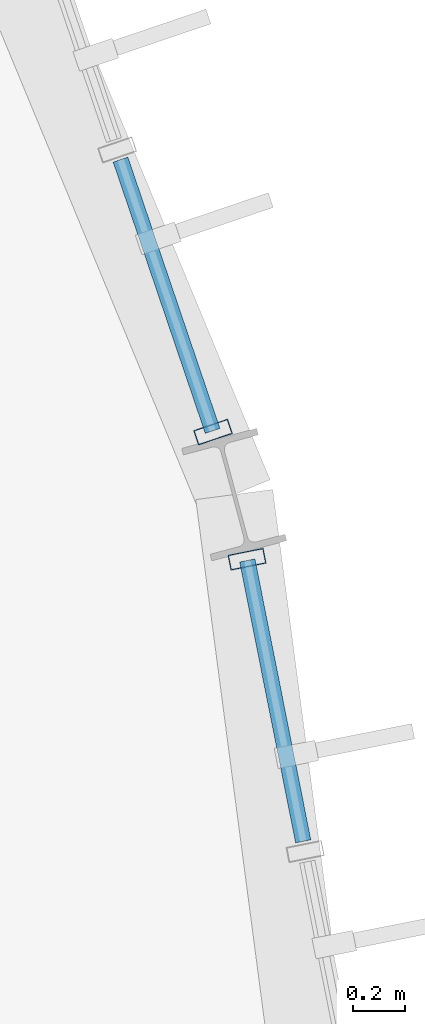
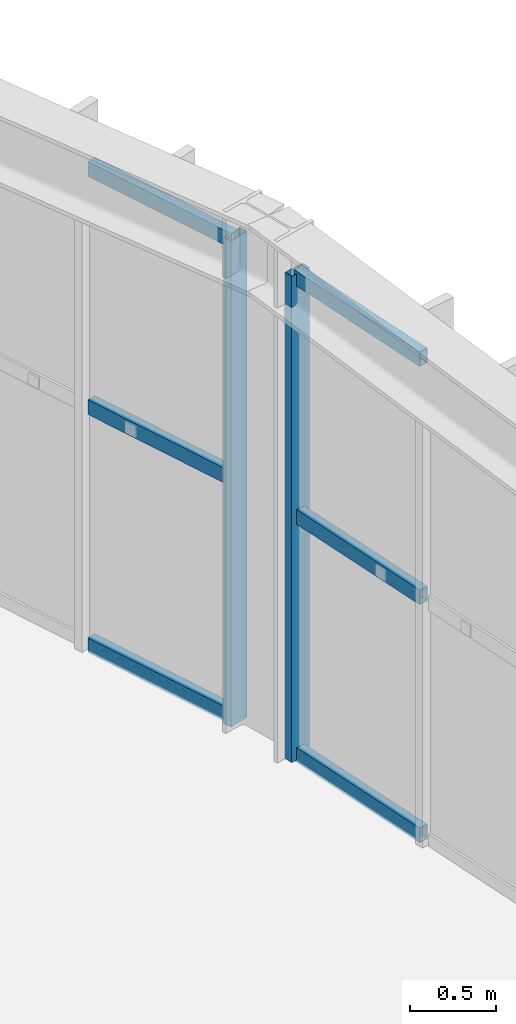
# One storey, part 76 of 152: 8 members, 2 elements without a shape of their own.
"""IFC4 building model written with IfcOpenShell, lengths in metres."""

from ifc_helpers import new_model, si_unit, derived_unit, direction, frame, origin, origin_2d, place, context, subcontext, project, spatial, hollow_rectangle, extrude, material, material_profile, profile_set, type_object, element, aggregate, save


model = new_model("IFC4")

# Units and contexts
model_context = context("Model", 3, precision=1e-05, world=origin(), true_north=direction((0.0, 1.0)))
body_context = subcontext(model_context, "Body", "Model", "MODEL_VIEW")
ifc_project = project(units=[si_unit("LENGTHUNIT", "METRE"), si_unit("AREAUNIT", "SQUARE_METRE"), si_unit("VOLUMEUNIT", "CUBIC_METRE"), si_unit("PLANEANGLEUNIT", "RADIAN"), si_unit("MASSUNIT", "GRAM", prefix="KILO"), si_unit("THERMODYNAMICTEMPERATUREUNIT", "KELVIN"), si_unit("TIMEUNIT", "SECOND"), derived_unit("THERMALTRANSMITTANCEUNIT", [(si_unit("MASSUNIT", "GRAM", prefix="KILO"), 1), (si_unit("THERMODYNAMICTEMPERATUREUNIT", "KELVIN"), -1), (si_unit("TIMEUNIT", "SECOND"), -3)])], contexts=[model_context])

# Site, building, storey
site_placement = place(None, origin())
site = spatial("IfcSite", under=ifc_project, at=site_placement, CompositionType="ELEMENT")
building_placement = place(site_placement, origin())
building = spatial("IfcBuilding", under=site, at=building_placement, Name="Cambertide Market Hall", CompositionType="ELEMENT")
storey_placement = place(building_placement, frame((0.0, 0.0, 5.39990234375)))
storey = spatial("IfcBuildingStorey", under=building, at=storey_placement, Name="L02", CompositionType="ELEMENT", Elevation=5.39990234375)

# Curtain wall, member
ifc_material_1 = material(Name="Marine Anodized Aluminium 6063-T6 AA25", Category="aluminium")
curtain_wall_type = type_object("IfcCurtainWallType", Name="Lantern Apse Chord Upper Curtain Wall", PredefinedType="USERDEFINED", material=ifc_material_1)
curtain_wall_1_placement = place(storey_placement, origin())
curtain_wall_1 = element("IfcCurtainWall", 1, at=curtain_wall_1_placement, inside=storey, type_object=curtain_wall_type, Name="Level 2 Curtain Wall CW-V1AE-L02-14", ObjectType="UNITIZED CURTAIN WALL", PredefinedType="USERDEFINED")
ifc_material_2 = material(Name="Champagne Marine Anodized Aluminium 6063-T6 AA25", Category="aluminium")
ifc_material_profile_1 = material_profile(ifc_material_2, hollow_rectangle(XDim=0.06005859375, YDim=0.139892578125, WallThickness=0.00341796875, at=origin_2d()), Name="ALU MULLION 60x140")
ifc_profile_set_1 = profile_set([ifc_material_profile_1], Name="Champagne Marine Anodized Aluminium 6063-T6 AA25")
member_type_1 = type_object("IfcMemberType", Name="Curtain Wall Mullion ALU MULLION 60x140", PredefinedType="MULLION", material=ifc_profile_set_1)
member_1_placement = place(storey_placement, frame((124.3681640625, 76.92626953125, 0.0), z_axis=(0.0, 0.0, 1.0), x_axis=(0.195090068226, -0.980785330885, 0.0)))
member_1 = element("IfcMember", 2, at=member_1_placement, type_object=member_type_1, Name="CW-V1AE-L02-14 Mullion 1", PredefinedType="MULLION", context=body_context, shape_type="SweptSolid", body=[
    extrude(hollow_rectangle(XDim=0.06005859375, YDim=0.139892578125, WallThickness=0.00341796875, at=origin_2d()), origin(), (0.0, 0.0, 1.0), 3.4501953125),
])

curtain_wall_2_placement = place(storey_placement, origin())
curtain_wall_2 = element("IfcCurtainWall", 3, at=curtain_wall_2_placement, inside=storey, type_object=curtain_wall_type, Name="Level 2 Curtain Wall CW-V1AE-L02-15", ObjectType="UNITIZED CURTAIN WALL", PredefinedType="USERDEFINED")
member_2_placement = place(storey_placement, frame((124.236572265625, 77.41796875, 0.0), z_axis=(0.0, 0.0, 1.0), x_axis=(0.32143947831, -0.94693012508, 0.0)))
member_2 = element("IfcMember", 4, at=member_2_placement, type_object=member_type_1, Name="CW-V1AE-L02-15 Mullion 3", PredefinedType="MULLION", context=body_context, shape_type="SweptSolid", body=[
    extrude(hollow_rectangle(XDim=0.06005859375, YDim=0.139892578125, WallThickness=0.00341796875, at=origin_2d()), origin(), (0.0, 0.0, 1.0), 3.4501953125),
])

# Member
ifc_material_3 = material(Name="Champagne Marine Anodized Aluminium 6063-T6 AA25", Category="aluminium")
ifc_material_profile_2 = material_profile(ifc_material_3, hollow_rectangle(XDim=0.06005859375, YDim=0.10498046875, WallThickness=0.0029296875, at=origin_2d()), Name="ALU TRANSOM 60x105")
ifc_profile_set_2 = profile_set([ifc_material_profile_2], Name="Champagne Marine Anodized Aluminium 6063-T6 AA25")
member_type_2 = type_object("IfcMemberType", Name="Curtain Wall Transom ALU TRANSOM 60x105", PredefinedType="USERDEFINED", material=ifc_profile_set_2)
member_3_placement = place(storey_placement, frame((124.369140625, 76.92138671875, 0.03515625), z_axis=(0.195226197175, -0.980758243369, 0.0), x_axis=(0.980758243369, 0.195226197175, 0.0)))
member_3 = element("IfcMember", 5, at=member_3_placement, type_object=member_type_2, Name="CW-V1AE-L02-14 Transom 1-1", ObjectType="TRANSOM", PredefinedType="USERDEFINED", context=body_context, shape_type="SweptSolid", body=[
    extrude(hollow_rectangle(XDim=0.06005859375, YDim=0.10498046875, WallThickness=0.0029296875, at=origin_2d()), origin(), (0.0, 0.0, 1.0), 1.10791015625),
])

member_4_placement = place(storey_placement, frame((124.369140625, 76.92138671875, 1.72509765625), z_axis=(0.195226197175, -0.980758243369, 0.0), x_axis=(0.980758243369, 0.195226197175, 0.0)))
member_4 = element("IfcMember", 6, at=member_4_placement, type_object=member_type_2, Name="CW-V1AE-L02-14 Transom 2-1", ObjectType="TRANSOM", PredefinedType="USERDEFINED", context=body_context, shape_type="SweptSolid", body=[
    extrude(hollow_rectangle(XDim=0.06005859375, YDim=0.10498046875, WallThickness=0.0029296875, at=origin_2d()), origin(), (0.0, 0.0, 1.0), 1.10791015625),
])

member_5_placement = place(storey_placement, frame((124.369140625, 76.92138671875, 3.4150390625), z_axis=(0.195226197175, -0.980758243369, 0.0), x_axis=(0.980758243369, 0.195226197175, 0.0)))
member_5 = element("IfcMember", 7, at=member_5_placement, type_object=member_type_2, Name="CW-V1AE-L02-14 Transom 3-1", ObjectType="TRANSOM", PredefinedType="USERDEFINED", context=body_context, shape_type="SweptSolid", body=[
    extrude(hollow_rectangle(XDim=0.06005859375, YDim=0.10498046875, WallThickness=0.0029296875, at=origin_2d()), origin(), (0.0, 0.0, 1.0), 1.10791015625),
])

aggregate(curtain_wall_1, [member_1, member_3, member_4, member_5])

member_6_placement = place(storey_placement, frame((123.878662109375, 78.471923828125, 0.03515625), z_axis=(0.321444521782, -0.946928413037, 0.0), x_axis=(0.946928413037, 0.321444521782, 0.0)))
member_6 = element("IfcMember", 8, at=member_6_placement, type_object=member_type_2, Name="CW-V1AE-L02-15 Transom 1-2", ObjectType="TRANSOM", PredefinedType="USERDEFINED", context=body_context, shape_type="SweptSolid", body=[
    extrude(hollow_rectangle(XDim=0.06005859375, YDim=0.10498046875, WallThickness=0.0029296875, at=origin_2d()), origin(), (0.0, 0.0, 1.0), 1.108154296875),
])

member_7_placement = place(storey_placement, frame((123.878662109375, 78.471923828125, 1.72509765625), z_axis=(0.321444521782, -0.946928413037, 0.0), x_axis=(0.946928413037, 0.321444521782, 0.0)))
member_7 = element("IfcMember", 9, at=member_7_placement, type_object=member_type_2, Name="CW-V1AE-L02-15 Transom 2-2", ObjectType="TRANSOM", PredefinedType="USERDEFINED", context=body_context, shape_type="SweptSolid", body=[
    extrude(hollow_rectangle(XDim=0.06005859375, YDim=0.10498046875, WallThickness=0.0029296875, at=origin_2d()), origin(), (0.0, 0.0, 1.0), 1.108154296875),
])

member_8_placement = place(storey_placement, frame((123.878662109375, 78.471923828125, 3.4150390625), z_axis=(0.321444521782, -0.946928413037, 0.0), x_axis=(0.946928413037, 0.321444521782, 0.0)))
member_8 = element("IfcMember", 10, at=member_8_placement, type_object=member_type_2, Name="CW-V1AE-L02-15 Transom 3-2", ObjectType="TRANSOM", PredefinedType="USERDEFINED", context=body_context, shape_type="SweptSolid", body=[
    extrude(hollow_rectangle(XDim=0.06005859375, YDim=0.10498046875, WallThickness=0.0029296875, at=origin_2d()), origin(), (0.0, 0.0, 1.0), 1.108154296875),
])

aggregate(curtain_wall_2, [member_2, member_6, member_7, member_8])

save(model, "model.ifc")
